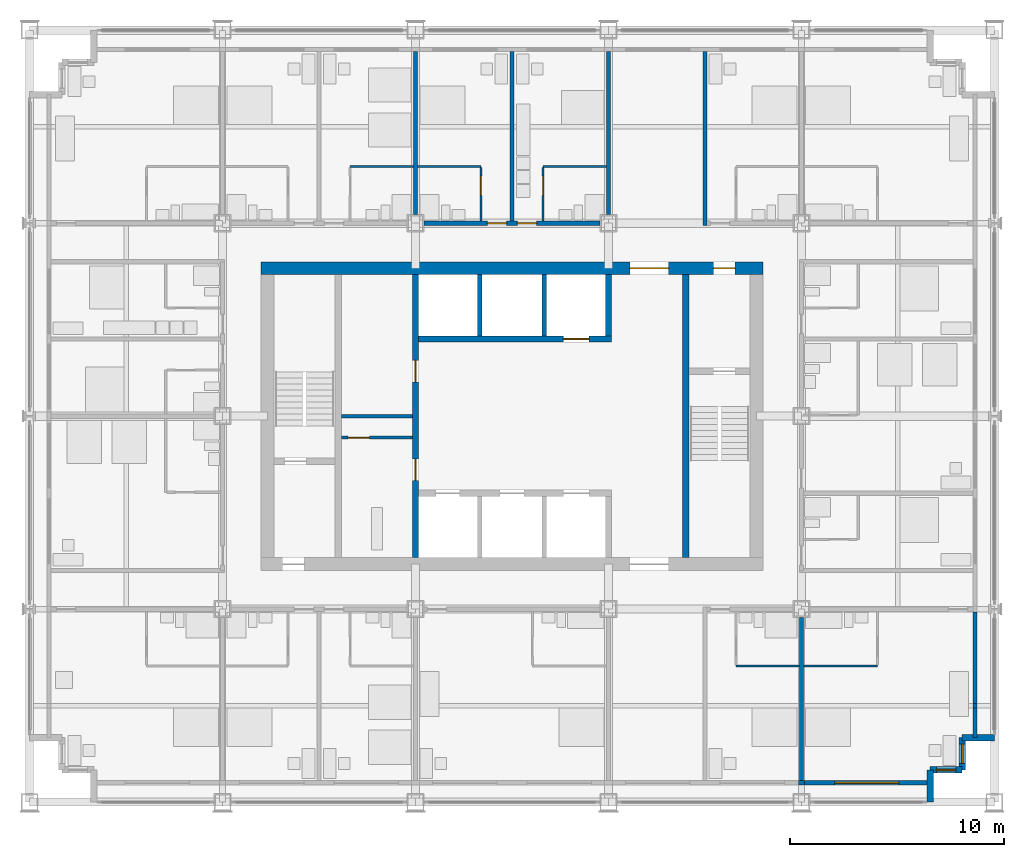
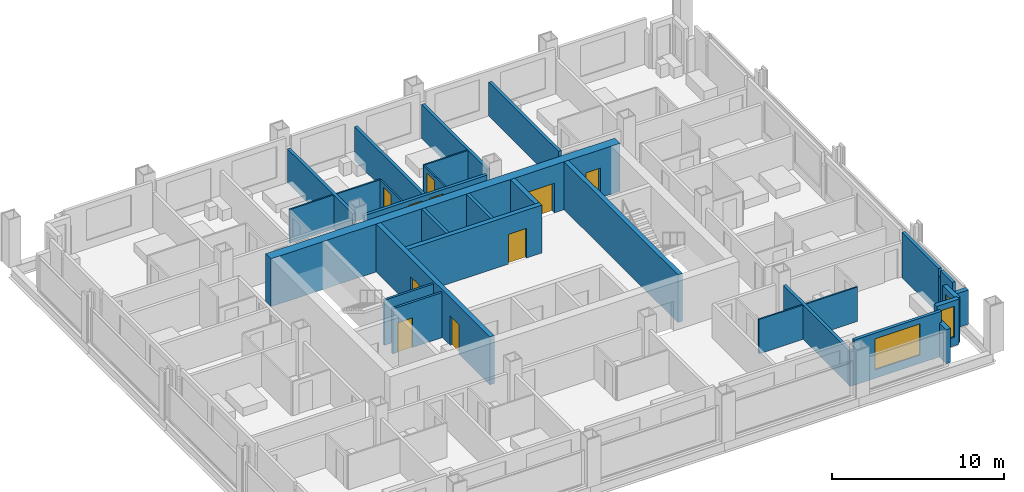
# One storey, part 11 of 17: 31 walls, 10 doors, 3 windows, 13 openings.
"""IFC4 building model written with IfcOpenShell, lengths in metres."""

from ifc_helpers import new_model, si_unit, direction, frame, frame_2d, origin, place, context, subcontext, project, spatial, rectangle, extrude, material, layer, layer_set, type_object, element, fill, save


model = new_model("IFC4")

# Units and contexts
model_context = context("Model", 3, precision=1e-05, world=origin(), true_north=direction((0.0, 1.0)))
body_context = subcontext(model_context, "Body", "Model", "MODEL_VIEW")
ifc_project = project(units=[si_unit("LENGTHUNIT", "METRE"), si_unit("AREAUNIT", "SQUARE_METRE"), si_unit("VOLUMEUNIT", "CUBIC_METRE"), si_unit("PLANEANGLEUNIT", "RADIAN"), si_unit("MASSUNIT", "GRAM", prefix="KILO")], contexts=[model_context])

# Site, building, storey
site_placement = place(None, origin())
site = spatial("IfcSite", under=ifc_project, at=site_placement, CompositionType="ELEMENT")
building_placement = place(site_placement, origin())
building = spatial("IfcBuilding", under=site, at=building_placement, Name="Loomwork Tower", CompositionType="ELEMENT")
storey_placement = place(building_placement, frame((0.0, 0.0, 141.800048828125)))
storey = spatial("IfcBuildingStorey", under=building, at=storey_placement, Name="L38", CompositionType="ELEMENT", Elevation=141.800048828125)

# Wall, openings, doors
ifc_material_1 = material(Name="Concrete 14000 psi (97 MPa)", Category="concrete")
ifc_layer_1 = layer(ifc_material_1, 0.300048828125)
ifc_layer_set_1 = layer_set([ifc_layer_1], Name="Core shear wall 300")
wall_type_1 = type_object("IfcWallType", Name="Core shear wall 300", PredefinedType="SHEAR", material=ifc_layer_set_1)
wall_1_placement = place(storey_placement, frame((18.0, 11.39990234375, 0.0), z_axis=(0.0, 0.0, 1.0), x_axis=(0.0, 1.0, 0.0)))
wall_1 = element("IfcWall", 1, at=wall_1_placement, inside=storey, type_object=wall_type_1, Name="Lobby west wall L38", PredefinedType="SHEAR", context=body_context, shape_type="SweptSolid", body=[
    extrude(rectangle(XDim=13.2001953125, YDim=0.300048828125, at=frame_2d((6.60009765625, 0.0))), origin(), (0.0, 0.0, 1.0), 3.39990234375),
])
opening_1_placement = place(wall_1_placement, frame((3.60009765625, 0.0, 0.0)))
opening_1 = element("IfcOpeningElement", 2, at=opening_1_placement, cuts=wall_1, Name="Opening D5", PredefinedType="OPENING", context=body_context, shape_type="SweptSolid", body=[
    extrude(rectangle(XDim=1.0, YDim=2.10009765625, at=frame_2d((0.5, 1.050048828125))), frame((0.0, 0.159912109375, 0.0), z_axis=(0.0, -1.0, 0.0), x_axis=(1.0, 0.0, 0.0)), (0.0, 0.0, 1.0), 0.320068359375),
])
opening_2_placement = place(wall_1_placement, frame((8.199951171875, 0.0, 0.0)))
opening_2 = element("IfcOpeningElement", 3, at=opening_2_placement, cuts=wall_1, Name="Opening D5", PredefinedType="OPENING", context=body_context, shape_type="SweptSolid", body=[
    extrude(rectangle(XDim=1.0, YDim=2.10009765625, at=frame_2d((0.5, 1.050048828125))), frame((0.0, 0.159912109375, 0.0), z_axis=(0.0, -1.0, 0.0), x_axis=(1.0, 0.0, 0.0)), (0.0, 0.0, 1.0), 0.320068359375),
])
ifc_material_2 = material(Name="Hollow metal door and frame")
door_type_1 = type_object("IfcDoorType", Name="Service door 1000", OperationType="SINGLE_SWING_LEFT", PredefinedType="DOOR", material=ifc_material_2)
door_1_placement = place(opening_1_placement, origin())
door_1 = element("IfcDoor", 4, at=door_1_placement, inside=storey, type_object=door_type_1, Name="Back-of-house door south", OperationType="SINGLE_SWING_LEFT", OverallHeight=2.10009765625, OverallWidth=1.0, PredefinedType="DOOR", context=body_context, shape_type="SweptSolid", body=[
    extrude(rectangle(XDim=1.0, YDim=2.10009765625, at=frame_2d((0.5, 1.050048828125))), frame((0.0, 0.02490234375, 0.0), z_axis=(0.0, -1.0, 0.0), x_axis=(1.0, 0.0, 0.0)), (0.0, 0.0, 1.0), 0.050048828125),
])
fill(opening_1, door_1)
door_2_placement = place(opening_2_placement, origin())
door_2 = element("IfcDoor", 5, at=door_2_placement, inside=storey, type_object=door_type_1, Name="Back-of-house door north", OperationType="SINGLE_SWING_RIGHT", OverallHeight=2.10009765625, OverallWidth=1.0, PredefinedType="DOOR", context=body_context, shape_type="SweptSolid", body=[
    extrude(rectangle(XDim=1.0, YDim=2.10009765625, at=frame_2d((0.5, 1.050048828125))), frame((0.0, 0.02490234375, 0.0), z_axis=(0.0, -1.0, 0.0), x_axis=(1.0, 0.0, 0.0)), (0.0, 0.0, 1.0), 0.050048828125),
])
fill(opening_2, door_2)

# Wall, opening, door
wall_2_placement = place(storey_placement, frame((18.14990234375, 21.60009765625, 0.0), z_axis=(0.0, 0.0, 1.0), x_axis=(1.0, 0.0, 0.0)))
wall_2 = element("IfcWall", 6, at=wall_2_placement, inside=storey, type_object=wall_type_1, Name="Lift front wall north L38", PredefinedType="SHEAR", context=body_context, shape_type="SweptSolid", body=[
    extrude(rectangle(XDim=9.0, YDim=0.300048828125, at=frame_2d((4.5, 0.0))), origin(), (0.0, 0.0, 1.0), 3.39990234375),
])
opening_3_placement = place(wall_2_placement, frame((6.75, 0.0, 0.0)))
opening_3 = element("IfcOpeningElement", 7, at=opening_3_placement, cuts=wall_2, Name="Opening LD2", PredefinedType="OPENING", context=body_context, shape_type="SweptSolid", body=[
    extrude(rectangle(XDim=1.199951171875, YDim=2.10009765625, at=frame_2d((0.60009765625, 1.050048828125))), frame((0.0, 0.159912109375, 0.0), z_axis=(0.0, -1.0, 0.0), x_axis=(1.0, 0.0, 0.0)), (0.0, 0.0, 1.0), 0.320068359375),
])
ifc_material_3 = material(Name="Hollow metal door and frame")
door_type_2 = type_object("IfcDoorType", Name="Lift landing door 1200", OperationType="SLIDING_TO_LEFT", PredefinedType="DOOR", material=ifc_material_3)
door_3_placement = place(opening_3_placement, origin())
door_3 = element("IfcDoor", 8, at=door_3_placement, inside=storey, type_object=door_type_2, Name="Lift landing door LF2", OperationType="SLIDING_TO_LEFT", OverallHeight=2.10009765625, OverallWidth=1.199951171875, PredefinedType="DOOR", context=body_context, shape_type="SweptSolid", body=[
    extrude(rectangle(XDim=1.199951171875, YDim=2.10009765625, at=frame_2d((0.60009765625, 1.050048828125))), frame((0.0, 0.02490234375, 0.0), z_axis=(0.0, -1.0, 0.0), x_axis=(1.0, 0.0, 0.0)), (0.0, 0.0, 1.0), 0.050048828125),
])
fill(opening_3, door_3)

# Walls
wall_3_placement = place(storey_placement, frame((27.0, 21.75, 0.0), z_axis=(0.0, 0.0, 1.0), x_axis=(0.0, 1.0, 0.0)))
element("IfcWall", 9, at=wall_3_placement, inside=storey, type_object=wall_type_1, Name="Lift shaft end wall north L38", PredefinedType="SHEAR", context=body_context, shape_type="SweptSolid", body=[
    extrude(rectangle(XDim=2.85009765625, YDim=0.300048828125, at=frame_2d((1.425048828125, 0.0))), origin(), (0.0, 0.0, 1.0), 3.39990234375),
])
wall_4_placement = place(storey_placement, frame((30.60009765625, 11.39990234375, 0.0), z_axis=(0.0, 0.0, 1.0), x_axis=(0.0, 1.0, 0.0)))
element("IfcWall", 10, at=wall_4_placement, inside=storey, type_object=wall_type_1, Name="Stair B west wall L38", PredefinedType="SHEAR", context=body_context, shape_type="SweptSolid", body=[
    extrude(rectangle(XDim=13.2001953125, YDim=0.300048828125, at=frame_2d((6.60009765625, 0.0))), origin(), (0.0, 0.0, 1.0), 3.39990234375),
])

# Wall, openings, doors
ifc_material_4 = material(Name="Concrete 14000 psi (97 MPa)", Category="concrete")
ifc_layer_2 = layer(ifc_material_4, 0.60009765625)
ifc_layer_set_2 = layer_set([ifc_layer_2], Name="Core shear wall 600")
wall_type_2 = type_object("IfcWallType", Name="Core shear wall 600", PredefinedType="SHEAR", material=ifc_layer_set_2)
wall_5_placement = place(storey_placement, frame((10.800048828125, 24.89990234375, 0.0), z_axis=(0.0, 0.0, 1.0), x_axis=(1.0, 0.0, 0.0)))
wall_5 = element("IfcWall", 11, at=wall_5_placement, inside=storey, type_object=wall_type_2, Name="Core wall north L38", PredefinedType="SHEAR", context=body_context, shape_type="SweptSolid", body=[
    extrude(rectangle(XDim=23.39990234375, YDim=0.60009765625, at=frame_2d((11.699951171875, 0.0))), origin(), (0.0, 0.0, 1.0), 3.39990234375),
])
opening_4_placement = place(wall_5_placement, frame((17.199951171875, 0.0, 0.0)))
opening_4 = element("IfcOpeningElement", 12, at=opening_4_placement, cuts=wall_5, Name="Opening D6", PredefinedType="OPENING", context=body_context, shape_type="SweptSolid", body=[
    extrude(rectangle(XDim=1.800048828125, YDim=2.10009765625, at=frame_2d((0.89990234375, 1.050048828125))), frame((0.0, 0.31005859375, 0.0), z_axis=(0.0, -1.0, 0.0), x_axis=(1.0, 0.0, 0.0)), (0.0, 0.0, 1.0), 0.6201171875),
])
opening_5_placement = place(wall_5_placement, frame((21.10009765625, 0.0, 0.0)))
opening_5 = element("IfcOpeningElement", 13, at=opening_5_placement, cuts=wall_5, Name="Opening D4", PredefinedType="OPENING", context=body_context, shape_type="SweptSolid", body=[
    extrude(rectangle(XDim=1.0, YDim=2.10009765625, at=frame_2d((0.5, 1.050048828125))), frame((0.0, 0.31005859375, 0.0), z_axis=(0.0, -1.0, 0.0), x_axis=(1.0, 0.0, 0.0)), (0.0, 0.0, 1.0), 0.6201171875),
])
ifc_material_5 = material(Name="Hollow metal door and frame")
door_type_3 = type_object("IfcDoorType", Name="Lobby passage double door 1800", OperationType="DOUBLE_DOOR_SINGLE_SWING", PredefinedType="DOOR", material=ifc_material_5)
door_4_placement = place(opening_4_placement, frame((1.800048828125, 0.0, 0.0), z_axis=(0.0, 0.0, 1.0), x_axis=(-1.0, 0.0, 0.0)))
door_4 = element("IfcDoor", 14, at=door_4_placement, inside=storey, type_object=door_type_3, Name="Lobby passage door north", OperationType="DOUBLE_DOOR_SINGLE_SWING", OverallHeight=2.10009765625, OverallWidth=1.800048828125, PredefinedType="DOOR", context=body_context, shape_type="SweptSolid", body=[
    extrude(rectangle(XDim=1.800048828125, YDim=2.10009765625, at=frame_2d((0.89990234375, 1.050048828125))), frame((0.0, 0.02490234375, 0.0), z_axis=(0.0, -1.0, 0.0), x_axis=(1.0, 0.0, 0.0)), (0.0, 0.0, 1.0), 0.050048828125),
])
fill(opening_4, door_4)
ifc_material_6 = material(Name="Hollow metal door and frame")
door_type_4 = type_object("IfcDoorType", Name="Stair door 1000", OperationType="SINGLE_SWING_RIGHT", PredefinedType="DOOR", material=ifc_material_6)
door_5_placement = place(opening_5_placement, frame((1.0, 0.0, 0.0), z_axis=(0.0, 0.0, 1.0), x_axis=(-1.0, 0.0, 0.0)))
door_5 = element("IfcDoor", 15, at=door_5_placement, inside=storey, type_object=door_type_4, Name="Stair B vestibule door", OperationType="SINGLE_SWING_LEFT", OverallHeight=2.10009765625, OverallWidth=1.0, PredefinedType="DOOR", context=body_context, shape_type="SweptSolid", body=[
    extrude(rectangle(XDim=1.0, YDim=2.10009765625, at=frame_2d((0.5, 1.050048828125))), frame((0.0, 0.02490234375, 0.0), z_axis=(0.0, -1.0, 0.0), x_axis=(1.0, 0.0, 0.0)), (0.0, 0.0, 1.0), 0.050048828125),
])
fill(opening_5, door_5)

ifc_material_7 = material(Name="Gypsum board on steel studs, one-hour", Category="steel")
ifc_layer_3 = layer(ifc_material_7, 0.199951171875)
ifc_layer_set_3 = layer_set([ifc_layer_3], Name="Corridor wall 200")
wall_type_3 = type_object("IfcWallType", Name="Corridor wall 200", PredefinedType="PARTITIONING", material=ifc_layer_set_3)
wall_6_placement = place(storey_placement, frame((18.39990234375, 27.0, 0.0), z_axis=(0.0, 0.0, 1.0), x_axis=(1.0, 0.0, 0.0)))
wall_6 = element("IfcWall", 16, at=wall_6_placement, inside=storey, type_object=wall_type_3, Name="North corridor wall 3", PredefinedType="PARTITIONING", context=body_context, shape_type="SweptSolid", body=[
    extrude(rectangle(XDim=8.2001953125, YDim=0.199951171875, at=frame_2d((4.10009765625, 0.0))), origin(), (0.0, 0.0, 1.0), 2.405029296875),
])
opening_6_placement = place(wall_6_placement, frame((2.949951171875, 0.0, 0.0)))
opening_6 = element("IfcOpeningElement", 17, at=opening_6_placement, cuts=wall_6, Name="Opening D1", PredefinedType="OPENING", context=body_context, shape_type="SweptSolid", body=[
    extrude(rectangle(XDim=0.89990234375, YDim=2.10009765625, at=frame_2d((0.449951171875, 1.050048828125))), frame((0.0, 0.10986328125, 0.0), z_axis=(0.0, -1.0, 0.0), x_axis=(1.0, 0.0, 0.0)), (0.0, 0.0, 1.0), 0.219970703125),
])
opening_7_placement = place(wall_6_placement, frame((4.35009765625, 0.0, 0.0)))
opening_7 = element("IfcOpeningElement", 18, at=opening_7_placement, cuts=wall_6, Name="Opening D1", PredefinedType="OPENING", context=body_context, shape_type="SweptSolid", body=[
    extrude(rectangle(XDim=0.89990234375, YDim=2.10009765625, at=frame_2d((0.449951171875, 1.050048828125))), frame((0.0, 0.10986328125, 0.0), z_axis=(0.0, -1.0, 0.0), x_axis=(1.0, 0.0, 0.0)), (0.0, 0.0, 1.0), 0.219970703125),
])
ifc_material_8 = material(Name="Hollow metal door and frame")
door_type_5 = type_object("IfcDoorType", Name="Guest room entry door 900", OperationType="SINGLE_SWING_LEFT", PredefinedType="DOOR", material=ifc_material_8)
door_6_placement = place(opening_6_placement, origin())
door_6 = element("IfcDoor", 19, at=door_6_placement, inside=storey, type_object=door_type_5, Name="Guest room entry door L38 10", OperationType="SINGLE_SWING_RIGHT", OverallHeight=2.10009765625, OverallWidth=0.89990234375, PredefinedType="DOOR", context=body_context, shape_type="SweptSolid", body=[
    extrude(rectangle(XDim=0.89990234375, YDim=2.10009765625, at=frame_2d((0.449951171875, 1.050048828125))), frame((0.0, 0.02490234375, 0.0), z_axis=(0.0, -1.0, 0.0), x_axis=(1.0, 0.0, 0.0)), (0.0, 0.0, 1.0), 0.050048828125),
])
fill(opening_6, door_6)
door_7_placement = place(opening_7_placement, origin())
door_7 = element("IfcDoor", 20, at=door_7_placement, inside=storey, type_object=door_type_5, Name="Guest room entry door L38 11", OperationType="SINGLE_SWING_LEFT", OverallHeight=2.10009765625, OverallWidth=0.89990234375, PredefinedType="DOOR", context=body_context, shape_type="SweptSolid", body=[
    extrude(rectangle(XDim=0.89990234375, YDim=2.10009765625, at=frame_2d((0.449951171875, 1.050048828125))), frame((0.0, 0.02490234375, 0.0), z_axis=(0.0, -1.0, 0.0), x_axis=(1.0, 0.0, 0.0)), (0.0, 0.0, 1.0), 0.050048828125),
])
fill(opening_7, door_7)

# Walls
ifc_material_9 = material(Name="Cement board on steel studs", Category="steel")
ifc_layer_4 = layer(ifc_material_9, 0.10009765625)
ifc_layer_set_4 = layer_set([ifc_layer_4], Name="En-suite partition 100")
wall_type_4 = type_object("IfcWallType", Name="En-suite partition 100", PredefinedType="PARTITIONING", material=ifc_layer_set_4)
wall_7_placement = place(storey_placement, frame((32.949951171875, 6.35009765625, 0.0), z_axis=(0.0, 0.0, 1.0), x_axis=(1.0, 0.0, 0.0)))
element("IfcWall", 21, at=wall_7_placement, inside=storey, type_object=wall_type_4, Name="En-suite wall L38 room 5", PredefinedType="PARTITIONING", context=body_context, shape_type="SweptSolid", body=[
    extrude(rectangle(XDim=2.949951171875, YDim=0.10009765625, at=frame_2d((1.47509765625, 0.0))), origin(), (0.0, 0.0, 1.0), 2.43798828125),
])
wall_8_placement = place(storey_placement, frame((36.10009765625, 6.35009765625, 0.0), z_axis=(0.0, 0.0, 1.0), x_axis=(1.0, 0.0, 0.0)))
element("IfcWall", 22, at=wall_8_placement, inside=storey, type_object=wall_type_4, Name="En-suite wall L38 room 6", PredefinedType="PARTITIONING", context=body_context, shape_type="SweptSolid", body=[
    extrude(rectangle(XDim=3.449951171875, YDim=0.10009765625, at=frame_2d((1.72509765625, 0.0))), origin(), (0.0, 0.0, 1.0), 2.43798828125),
])
for number, where, z_axis, x_axis, name in (
    (23, (14.949951171875, 29.64990234375, 0.0), (0.0, 0.0, 1.0), (1.0, 0.0, 0.0), "En-suite wall L38 room 9"),
    (24, (18.10009765625, 29.64990234375, 0.0), (0.0, 0.0, 1.0), (1.0, 0.0, 0.0), "En-suite wall L38 room 10"),
):
    element("IfcWall", number, at=place(storey_placement, frame(where, z_axis=z_axis, x_axis=x_axis)), inside=storey, type_object=wall_type_4, Name=name, PredefinedType="PARTITIONING", context=body_context, shape_type="SweptSolid", body=[
        extrude(rectangle(XDim=2.949951171875, YDim=0.10009765625, at=frame_2d((1.47509765625, 0.0))), origin(), (0.0, 0.0, 1.0), 2.404052734375),
    ])

# Wall, opening, door
wall_9_placement = place(storey_placement, frame((21.050048828125, 27.10009765625, 0.0), z_axis=(0.0, 0.0, 1.0), x_axis=(0.0, 1.0, 0.0)))
wall_9 = element("IfcWall", 25, at=wall_9_placement, inside=storey, type_object=wall_type_4, Name="En-suite side wall L38 room 10", PredefinedType="PARTITIONING", context=body_context, shape_type="SweptSolid", body=[
    extrude(rectangle(XDim=2.5, YDim=0.10009765625, at=frame_2d((1.25, 0.0))), origin(), (0.0, 0.0, 1.0), 2.404052734375),
])
opening_8_placement = place(wall_9_placement, frame((1.199951171875, 0.0, 0.0)))
opening_8 = element("IfcOpeningElement", 26, at=opening_8_placement, cuts=wall_9, Name="Opening D2", PredefinedType="OPENING", context=body_context, shape_type="SweptSolid", body=[
    extrude(rectangle(XDim=0.89990234375, YDim=2.10009765625, at=frame_2d((0.449951171875, 1.050048828125))), frame((0.0, 0.06005859375, 0.0), z_axis=(0.0, -1.0, 0.0), x_axis=(1.0, 0.0, 0.0)), (0.0, 0.0, 1.0), 0.1201171875),
])
ifc_material_10 = material(Name="Hollow metal door and frame")
door_type_6 = type_object("IfcDoorType", Name="En-suite door 900", OperationType="SINGLE_SWING_LEFT", PredefinedType="DOOR", material=ifc_material_10)
door_8_placement = place(opening_8_placement, origin())
door_8 = element("IfcDoor", 27, at=door_8_placement, inside=storey, type_object=door_type_6, Name="En-suite door room 10", OperationType="SINGLE_SWING_RIGHT", OverallHeight=2.10009765625, OverallWidth=0.89990234375, PredefinedType="DOOR", context=body_context, shape_type="SweptSolid", body=[
    extrude(rectangle(XDim=0.89990234375, YDim=2.10009765625, at=frame_2d((0.449951171875, 1.050048828125))), frame((0.0, 0.02490234375, 0.0), z_axis=(0.0, -1.0, 0.0), x_axis=(1.0, 0.0, 0.0)), (0.0, 0.0, 1.0), 0.050048828125),
])
fill(opening_8, door_8)

# Wall
wall_10_placement = place(storey_placement, frame((23.949951171875, 29.64990234375, 0.0), z_axis=(0.0, 0.0, 1.0), x_axis=(1.0, 0.0, 0.0)))
element("IfcWall", 28, at=wall_10_placement, inside=storey, type_object=wall_type_4, Name="En-suite wall L38 room 11", PredefinedType="PARTITIONING", context=body_context, shape_type="SweptSolid", body=[
    extrude(rectangle(XDim=2.949951171875, YDim=0.10009765625, at=frame_2d((1.47509765625, 0.0))), origin(), (0.0, 0.0, 1.0), 2.404052734375),
])

# Wall, opening, door
wall_11_placement = place(storey_placement, frame((23.949951171875, 27.10009765625, 0.0), z_axis=(0.0, 0.0, 1.0), x_axis=(0.0, 1.0, 0.0)))
wall_11 = element("IfcWall", 29, at=wall_11_placement, inside=storey, type_object=wall_type_4, Name="En-suite side wall L38 room 11", PredefinedType="PARTITIONING", context=body_context, shape_type="SweptSolid", body=[
    extrude(rectangle(XDim=2.5, YDim=0.10009765625, at=frame_2d((1.25, 0.0))), origin(), (0.0, 0.0, 1.0), 2.404052734375),
])
opening_9_placement = place(wall_11_placement, frame((1.199951171875, 0.0, 0.0)))
opening_9 = element("IfcOpeningElement", 30, at=opening_9_placement, cuts=wall_11, Name="Opening D2", PredefinedType="OPENING", context=body_context, shape_type="SweptSolid", body=[
    extrude(rectangle(XDim=0.89990234375, YDim=2.10009765625, at=frame_2d((0.449951171875, 1.050048828125))), frame((0.0, 0.06005859375, 0.0), z_axis=(0.0, -1.0, 0.0), x_axis=(1.0, 0.0, 0.0)), (0.0, 0.0, 1.0), 0.1201171875),
])
door_9_placement = place(opening_9_placement, frame((0.89990234375, 0.0, 0.0), z_axis=(0.0, 0.0, 1.0), x_axis=(-1.0, 0.0, 0.0)))
door_9 = element("IfcDoor", 31, at=door_9_placement, inside=storey, type_object=door_type_6, Name="En-suite door room 11", OperationType="SINGLE_SWING_LEFT", OverallHeight=2.10009765625, OverallWidth=0.89990234375, PredefinedType="DOOR", context=body_context, shape_type="SweptSolid", body=[
    extrude(rectangle(XDim=0.89990234375, YDim=2.10009765625, at=frame_2d((0.449951171875, 1.050048828125))), frame((0.0, 0.02490234375, 0.0), z_axis=(0.0, -1.0, 0.0), x_axis=(1.0, 0.0, 0.0)), (0.0, 0.0, 1.0), 0.050048828125),
])
fill(opening_9, door_9)

# Walls
ifc_material_11 = material(Name="Gypsum board on steel studs, acoustic", Category="steel")
ifc_layer_5 = layer(ifc_material_11, 0.199951171875)
ifc_layer_set_5 = layer_set([ifc_layer_5], Name="Guest room party wall 200")
wall_type_5 = type_object("IfcWallType", Name="Guest room party wall 200", PredefinedType="PARTITIONING", material=ifc_layer_set_5)
wall_12_placement = place(storey_placement, frame((36.0, 8.60009765625, 0.0), z_axis=(0.0, 0.0, 1.0), x_axis=(0.0, -1.0, 0.0)))
element("IfcWall", 32, at=wall_12_placement, inside=storey, type_object=wall_type_5, Name="Guest room party wall S 36", PredefinedType="PARTITIONING", context=body_context, shape_type="SweptSolid", body=[
    extrude(rectangle(XDim=7.60009765625, YDim=0.199951171875, at=frame_2d((3.800048828125, 0.0))), origin(), (0.0, 0.0, 1.0), 2.43798828125),
])
wall_13_placement = place(storey_placement, frame((18.0, 27.39990234375, 0.0), z_axis=(0.0, 0.0, 1.0), x_axis=(0.0, 1.0, 0.0)))
element("IfcWall", 33, at=wall_13_placement, inside=storey, type_object=wall_type_5, Name="Guest room party wall N 18", PredefinedType="PARTITIONING", context=body_context, shape_type="SweptSolid", body=[
    extrude(rectangle(XDim=7.60009765625, YDim=0.199951171875, at=frame_2d((3.800048828125, 0.0))), origin(), (0.0, 0.0, 1.0), 2.405029296875),
])
wall_14_placement = place(storey_placement, frame((22.5, 27.10009765625, 0.0), z_axis=(0.0, 0.0, 1.0), x_axis=(0.0, 1.0, 0.0)))
element("IfcWall", 34, at=wall_14_placement, inside=storey, type_object=wall_type_5, Name="Guest room party wall N 22.5", PredefinedType="PARTITIONING", context=body_context, shape_type="SweptSolid", body=[
    extrude(rectangle(XDim=7.89990234375, YDim=0.199951171875, at=frame_2d((3.949951171875, 0.0))), origin(), (0.0, 0.0, 1.0), 2.404052734375),
])
wall_15_placement = place(storey_placement, frame((27.0, 27.39990234375, 0.0), z_axis=(0.0, 0.0, 1.0), x_axis=(0.0, 1.0, 0.0)))
element("IfcWall", 35, at=wall_15_placement, inside=storey, type_object=wall_type_5, Name="Guest room party wall N 27", PredefinedType="PARTITIONING", context=body_context, shape_type="SweptSolid", body=[
    extrude(rectangle(XDim=7.60009765625, YDim=0.199951171875, at=frame_2d((3.800048828125, 0.0))), origin(), (0.0, 0.0, 1.0), 2.405029296875),
])
wall_16_placement = place(storey_placement, frame((31.5, 26.89990234375, 0.0), z_axis=(0.0, 0.0, 1.0), x_axis=(0.0, 1.0, 0.0)))
element("IfcWall", 36, at=wall_16_placement, inside=storey, type_object=wall_type_5, Name="Guest room party wall N 31.5", PredefinedType="PARTITIONING", context=body_context, shape_type="SweptSolid", body=[
    extrude(rectangle(XDim=8.10009765625, YDim=0.199951171875, at=frame_2d((4.050048828125, 0.0))), origin(), (0.0, 0.0, 1.0), 2.404052734375),
])
ifc_material_12 = material(Name="Insulated steel stud wall with gypsum lining", Category="steel")
ifc_layer_6 = layer(ifc_material_12, 0.199951171875)
ifc_layer_set_6 = layer_set([ifc_layer_6], Name="Inner skin wall 200")
wall_type_6 = type_object("IfcWallType", Name="Inner skin wall 200", PredefinedType="SOLIDWALL", material=ifc_layer_set_6)
wall_17_placement = place(storey_placement, frame((44.10009765625, 3.0, 0.0), z_axis=(0.0, 0.0, 1.0), x_axis=(0.0, 1.0, 0.0)))
element("IfcWall", 37, at=wall_17_placement, inside=storey, type_object=wall_type_6, Name="Inner skin wall E", PredefinedType="SOLIDWALL", context=body_context, shape_type="SweptSolid", body=[
    extrude(rectangle(XDim=1.392578125, YDim=0.199951171875, at=frame_2d((0.6962890625, 0.0))), origin(), (0.0, 0.0, 1.0), 3.199951171875),
])
wall_18_placement = place(storey_placement, frame((35.864501953125, 0.89990234375, 0.0), z_axis=(0.0, 0.0, 1.0), x_axis=(1.0, 0.0, 0.0)))
element("IfcWall", 38, at=wall_18_placement, inside=storey, type_object=wall_type_6, Name="Inner skin wall S bay 8", PredefinedType="SOLIDWALL", context=body_context, shape_type="SweptSolid", body=[
    extrude(rectangle(XDim=0.27099609375, YDim=0.199951171875, at=frame_2d((0.135498046875, 0.0))), origin(), (0.0, 0.0, 1.0), 2.43798828125),
])

# Wall, opening, window
wall_19_placement = place(storey_placement, frame((36.135498046875, 0.89990234375, 0.0), z_axis=(0.0, 0.0, 1.0), x_axis=(1.0, 0.0, 0.0)))
wall_19 = element("IfcWall", 39, at=wall_19_placement, inside=storey, type_object=wall_type_6, Name="Inner skin wall S bay 9", PredefinedType="SOLIDWALL", context=body_context, shape_type="SweptSolid", body=[
    extrude(rectangle(XDim=5.864501953125, YDim=0.199951171875, at=frame_2d((2.93212890625, 0.0))), origin(), (0.0, 0.0, 1.0), 3.199951171875),
])
opening_10_placement = place(wall_19_placement, frame((1.41455078125, 0.0, 0.60009765625)))
opening_10 = element("IfcOpeningElement", 40, at=opening_10_placement, cuts=wall_19, Name="Opening CH1", PredefinedType="OPENING", context=body_context, shape_type="SweptSolid", body=[
    extrude(rectangle(XDim=3.0, YDim=2.199951171875, at=frame_2d((1.5, 1.10009765625))), frame((0.0, 0.10986328125, 0.0), z_axis=(0.0, -1.0, 0.0), x_axis=(1.0, 0.0, 0.0)), (0.0, 0.0, 1.0), 0.219970703125),
])
ifc_material_13 = material(Name="Aluminium frame with clear insulated glass", Category="aluminium")
window_type_1 = type_object("IfcWindowType", Name="Chicago window 3000", PartitioningType="TRIPLE_PANEL_VERTICAL", PredefinedType="WINDOW", material=ifc_material_13)
window_1_placement = place(opening_10_placement, origin())
window_1 = element("IfcWindow", 41, at=window_1_placement, inside=storey, type_object=window_type_1, Name="Chicago window L38 bay 5", OverallHeight=2.199951171875, OverallWidth=3.0, PartitioningType="TRIPLE_PANEL_VERTICAL", PredefinedType="WINDOW", context=body_context, shape_type="SweptSolid", body=[
    extrude(rectangle(XDim=3.0, YDim=2.199951171875, at=frame_2d((1.5, 1.10009765625))), frame((0.0, 0.030029296875, 0.0), z_axis=(0.0, -1.0, 0.0), x_axis=(1.0, 0.0, 0.0)), (0.0, 0.0, 1.0), 0.06005859375),
])
fill(opening_10, window_1)

# Walls
wall_20_placement = place(storey_placement, frame((44.10009765625, 4.392578125, 0.0), z_axis=(0.0, 0.0, 1.0), x_axis=(0.0, 1.0, 0.0)))
element("IfcWall", 42, at=wall_20_placement, inside=storey, type_object=wall_type_6, Name="Inner skin wall E bay 2", PredefinedType="SOLIDWALL", context=body_context, shape_type="SweptSolid", body=[
    extrude(rectangle(XDim=0.21484375, YDim=0.199951171875, at=frame_2d((0.107421875, 0.0))), origin(), (0.0, 0.0, 1.0), 2.660888671875),
])
wall_21_placement = place(storey_placement, frame((44.10009765625, 4.607421875, 0.0), z_axis=(0.0, 0.0, 1.0), x_axis=(0.0, 1.0, 0.0)))
element("IfcWall", 43, at=wall_21_placement, inside=storey, type_object=wall_type_6, Name="Inner skin wall E bay 3", PredefinedType="SOLIDWALL", context=body_context, shape_type="SweptSolid", body=[
    extrude(rectangle(XDim=4.25732421875, YDim=0.199951171875, at=frame_2d((2.128662109375, 0.0))), origin(), (0.0, 0.0, 1.0), 3.199951171875),
])
ifc_material_14 = material(Name="Concrete 14000 psi (97 MPa)", Category="concrete")
ifc_layer_7 = layer(ifc_material_14, 0.199951171875)
ifc_layer_set_7 = layer_set([ifc_layer_7], Name="Lift shaft wall 200")
wall_type_7 = type_object("IfcWallType", Name="Lift shaft wall 200", PredefinedType="SHEAR", material=ifc_layer_set_7)
for number, where, z_axis, x_axis, name in (
    (44, (21.0, 21.75, 0.0), (0.0, 0.0, 1.0), (0.0, 1.0, 0.0), "Lift shaft separation wall north 1 L38"),
    (45, (24.0, 21.75, 0.0), (0.0, 0.0, 1.0), (0.0, 1.0, 0.0), "Lift shaft separation wall north 2 L38"),
):
    element("IfcWall", number, at=place(storey_placement, frame(where, z_axis=z_axis, x_axis=x_axis)), inside=storey, type_object=wall_type_7, Name=name, PredefinedType="SHEAR", context=body_context, shape_type="SweptSolid", body=[
        extrude(rectangle(XDim=2.85009765625, YDim=0.199951171875, at=frame_2d((1.425048828125, 0.0))), origin(), (0.0, 0.0, 1.0), 3.39990234375),
    ])
ifc_material_15 = material(Name="Limestone on concrete masonry", Category="masonry")
ifc_layer_8 = layer(ifc_material_15, 0.300048828125)
ifc_layer_set_8 = layer_set([ifc_layer_8], Name="Limestone corner wall 300")
wall_type_8 = type_object("IfcWallType", Name="Limestone corner wall 300", PredefinedType="SOLIDWALL", material=ifc_layer_set_8)
wall_22_placement = place(storey_placement, frame((42.0, 0.0, 0.0), z_axis=(0.0, 0.0, 1.0), x_axis=(0.0, 1.0, 0.0)))
element("IfcWall", 46, at=wall_22_placement, inside=storey, type_object=wall_type_8, Name="Stone corner wall SE 1", PredefinedType="SOLIDWALL", context=body_context, shape_type="SweptSolid", body=[
    extrude(rectangle(XDim=1.5, YDim=0.300048828125, at=frame_2d((0.75, 0.0))), origin(), (0.0, 0.0, 1.0), 2.419921875),
])

# Wall, opening, window
wall_23_placement = place(storey_placement, frame((42.0, 1.5, 0.0), z_axis=(0.0, 0.0, 1.0), x_axis=(1.0, 0.0, 0.0)))
wall_23 = element("IfcWall", 47, at=wall_23_placement, inside=storey, type_object=wall_type_8, Name="Stone corner wall SE 2", PredefinedType="SOLIDWALL", context=body_context, shape_type="SweptSolid", body=[
    extrude(rectangle(XDim=1.5, YDim=0.300048828125, at=frame_2d((0.75, 0.0))), origin(), (0.0, 0.0, 1.0), 3.199951171875),
])
opening_11_placement = place(wall_23_placement, frame((0.300048828125, 0.0, 0.60009765625)))
opening_11 = element("IfcOpeningElement", 48, at=opening_11_placement, cuts=wall_23, Name="Opening CH2", PredefinedType="OPENING", context=body_context, shape_type="SweptSolid", body=[
    extrude(rectangle(XDim=0.89990234375, YDim=2.199951171875, at=frame_2d((0.449951171875, 1.10009765625))), frame((0.0, 0.159912109375, 0.0), z_axis=(0.0, -1.0, 0.0), x_axis=(1.0, 0.0, 0.0)), (0.0, 0.0, 1.0), 0.320068359375),
])
ifc_material_16 = material(Name="Aluminium frame with clear insulated glass", Category="aluminium")
window_type_2 = type_object("IfcWindowType", Name="Corner window 900", PartitioningType="SINGLE_PANEL", PredefinedType="WINDOW", material=ifc_material_16)
window_2_placement = place(opening_11_placement, origin())
window_2 = element("IfcWindow", 49, at=window_2_placement, inside=storey, type_object=window_type_2, Name="Corner window SE", OverallHeight=2.199951171875, OverallWidth=0.89990234375, PartitioningType="SINGLE_PANEL", PredefinedType="WINDOW", context=body_context, shape_type="SweptSolid", body=[
    extrude(rectangle(XDim=0.89990234375, YDim=2.199951171875, at=frame_2d((0.449951171875, 1.10009765625))), frame((0.0, 0.030029296875, 0.0), z_axis=(0.0, -1.0, 0.0), x_axis=(1.0, 0.0, 0.0)), (0.0, 0.0, 1.0), 0.06005859375),
])
fill(opening_11, window_2)

wall_24_placement = place(storey_placement, frame((43.5, 1.5, 0.0), z_axis=(0.0, 0.0, 1.0), x_axis=(0.0, 1.0, 0.0)))
wall_24 = element("IfcWall", 50, at=wall_24_placement, inside=storey, type_object=wall_type_8, Name="Stone corner wall SE 3", PredefinedType="SOLIDWALL", context=body_context, shape_type="SweptSolid", body=[
    extrude(rectangle(XDim=1.5, YDim=0.300048828125, at=frame_2d((0.75, 0.0))), origin(), (0.0, 0.0, 1.0), 3.199951171875),
])
opening_12_placement = place(wall_24_placement, frame((0.300048828125, 0.0, 0.60009765625)))
opening_12 = element("IfcOpeningElement", 51, at=opening_12_placement, cuts=wall_24, Name="Opening CH2", PredefinedType="OPENING", context=body_context, shape_type="SweptSolid", body=[
    extrude(rectangle(XDim=0.89990234375, YDim=2.199951171875, at=frame_2d((0.449951171875, 1.10009765625))), frame((0.0, 0.159912109375, 0.0), z_axis=(0.0, -1.0, 0.0), x_axis=(1.0, 0.0, 0.0)), (0.0, 0.0, 1.0), 0.320068359375),
])
window_3_placement = place(opening_12_placement, origin())
window_3 = element("IfcWindow", 52, at=window_3_placement, inside=storey, type_object=window_type_2, Name="Corner window SE", OverallHeight=2.199951171875, OverallWidth=0.89990234375, PartitioningType="SINGLE_PANEL", PredefinedType="WINDOW", context=body_context, shape_type="SweptSolid", body=[
    extrude(rectangle(XDim=0.89990234375, YDim=2.199951171875, at=frame_2d((0.449951171875, 1.10009765625))), frame((0.0, 0.030029296875, 0.0), z_axis=(0.0, -1.0, 0.0), x_axis=(1.0, 0.0, 0.0)), (0.0, 0.0, 1.0), 0.06005859375),
])
fill(opening_12, window_3)

# Walls
wall_25_placement = place(storey_placement, frame((43.5, 3.0, 0.0), z_axis=(0.0, 0.0, 1.0), x_axis=(1.0, 0.0, 0.0)))
element("IfcWall", 53, at=wall_25_placement, inside=storey, type_object=wall_type_8, Name="Stone corner wall SE 4", PredefinedType="SOLIDWALL", context=body_context, shape_type="SweptSolid", body=[
    extrude(rectangle(XDim=1.5, YDim=0.300048828125, at=frame_2d((0.75, 0.0))), origin(), (0.0, 0.0, 1.0), 2.419921875),
])
ifc_material_17 = material(Name="Gypsum board on steel studs", Category="steel")
ifc_layer_9 = layer(ifc_material_17, 0.14990234375)
ifc_layer_set_9 = layer_set([ifc_layer_9], Name="Partition 150 two-hour")
wall_type_9 = type_object("IfcWallType", Name="Partition 150 two-hour", PredefinedType="PARTITIONING", material=ifc_layer_set_9)
wall_26_placement = place(storey_placement, frame((14.550048828125, 18.0, 0.0), z_axis=(0.0, 0.0, 1.0), x_axis=(1.0, 0.0, 0.0)))
element("IfcWall", 54, at=wall_26_placement, inside=storey, type_object=wall_type_9, Name="Back-of-house dividing wall L38", PredefinedType="PARTITIONING", context=body_context, shape_type="SweptSolid", body=[
    extrude(rectangle(XDim=3.300048828125, YDim=0.14990234375, at=frame_2d((1.64990234375, 0.0))), origin(), (0.0, 0.0, 1.0), 3.199951171875),
])

# Wall, opening, door
ifc_material_18 = material(Name="Gypsum board on steel studs, one-hour", Category="steel")
ifc_layer_10 = layer(ifc_material_18, 0.14990234375)
ifc_layer_set_10 = layer_set([ifc_layer_10], Name="Service partition 150")
wall_type_10 = type_object("IfcWallType", Name="Service partition 150", PredefinedType="PARTITIONING", material=ifc_layer_set_10)
wall_27_placement = place(storey_placement, frame((14.550048828125, 17.0, 0.0), z_axis=(0.0, 0.0, 1.0), x_axis=(1.0, 0.0, 0.0)))
wall_27 = element("IfcWall", 55, at=wall_27_placement, inside=storey, type_object=wall_type_10, Name="Riser enclosure L38", PredefinedType="PARTITIONING", context=body_context, shape_type="SweptSolid", body=[
    extrude(rectangle(XDim=3.300048828125, YDim=0.14990234375, at=frame_2d((1.64990234375, 0.0))), origin(), (0.0, 0.0, 1.0), 3.199951171875),
])
opening_13_placement = place(wall_27_placement, frame((0.300048828125, 0.0, 0.0)))
opening_13 = element("IfcOpeningElement", 56, at=opening_13_placement, cuts=wall_27, Name="Opening D18", PredefinedType="OPENING", context=body_context, shape_type="SweptSolid", body=[
    extrude(rectangle(XDim=1.0, YDim=2.10009765625, at=frame_2d((0.5, 1.050048828125))), frame((0.0, 0.0849609375, 0.0), z_axis=(0.0, -1.0, 0.0), x_axis=(1.0, 0.0, 0.0)), (0.0, 0.0, 1.0), 0.169921875),
])
ifc_material_19 = material(Name="Hollow metal door and frame")
door_type_7 = type_object("IfcDoorType", Name="Ninety-minute service door 1000", OperationType="SINGLE_SWING_LEFT", PredefinedType="DOOR", material=ifc_material_19)
door_10_placement = place(opening_13_placement, frame((1.0, 0.0, 0.0), z_axis=(0.0, 0.0, 1.0), x_axis=(-1.0, 0.0, 0.0)))
door_10 = element("IfcDoor", 57, at=door_10_placement, inside=storey, type_object=door_type_7, Name="Riser access door", OperationType="SINGLE_SWING_RIGHT", OverallHeight=2.10009765625, OverallWidth=1.0, PredefinedType="DOOR", context=body_context, shape_type="SweptSolid", body=[
    extrude(rectangle(XDim=1.0, YDim=2.10009765625, at=frame_2d((0.5, 1.050048828125))), frame((0.0, 0.02490234375, 0.0), z_axis=(0.0, -1.0, 0.0), x_axis=(1.0, 0.0, 0.0)), (0.0, 0.0, 1.0), 0.050048828125),
])
fill(opening_13, door_10)

save(model, "model.ifc")
